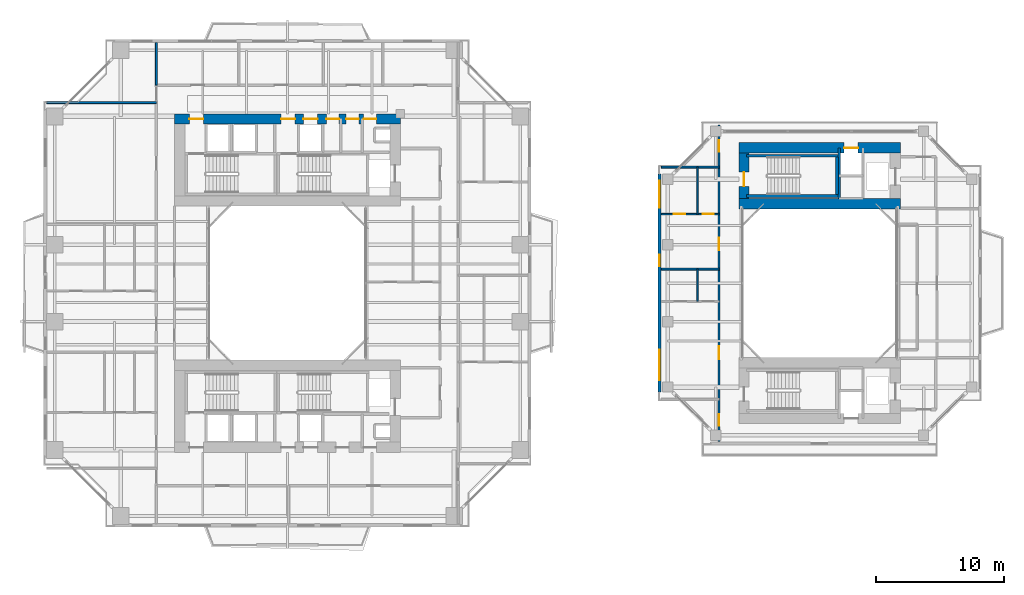
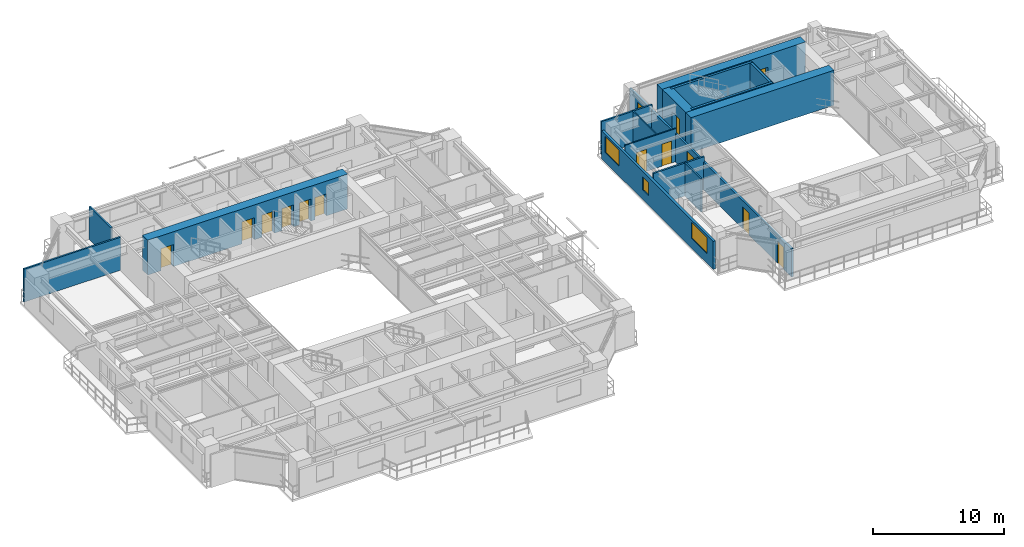
# One storey, part 16 of 24: 17 walls, 14 doors, 3 windows, 17 openings.
"""IFC4 building model written with IfcOpenShell, lengths in metres."""

from ifc_helpers import new_model, si_unit, direction, frame, frame_2d, origin, place, context, subcontext, project, spatial, rectangle, extrude, source, transform, mapped, material, layer, layer_set, type_object, element, fill, save


model = new_model("IFC4")

# Units and contexts
model_context = context("Model", 3, precision=1e-05, world=origin(), true_north=direction((0.0, 1.0)))
body_context = subcontext(model_context, "Body", "Model", "MODEL_VIEW")
ifc_project = project(units=[si_unit("LENGTHUNIT", "METRE"), si_unit("AREAUNIT", "SQUARE_METRE"), si_unit("VOLUMEUNIT", "CUBIC_METRE"), si_unit("PLANEANGLEUNIT", "RADIAN"), si_unit("MASSUNIT", "GRAM", prefix="KILO"), si_unit("THERMODYNAMICTEMPERATUREUNIT", "KELVIN"), si_unit("POWERUNIT", "WATT")], contexts=[model_context])

# Site, building, storey
site_placement = place(None, origin())
site = spatial("IfcSite", under=ifc_project, at=site_placement, CompositionType="ELEMENT")
building_placement = place(site_placement, origin())
building = spatial("IfcBuilding", under=site, at=building_placement, Name="Qiaomeng Ring Towers", CompositionType="ELEMENT")
storey_placement = place(building_placement, frame((0.0, 0.0, 69.75)))
storey = spatial("IfcBuildingStorey", under=building, at=storey_placement, Name="L19", CompositionType="ELEMENT", Elevation=69.75)

# Wall, openings, windows
ifc_material_1 = material(Name="Precast concrete C40", Category="concrete")
ifc_layer_1 = layer(ifc_material_1, 0.219970703125, Name="Precast concrete C40")
ifc_layer_set_1 = layer_set([ifc_layer_1], Name="Precast concrete C40")
wall_type_1 = type_object("IfcWallType", Name="ARC-WL-EW2", PredefinedType="STANDARD", material=ifc_layer_set_1)
wall_1_placement = place(storey_placement, frame((48.010009765625, 14.5, 0.0), z_axis=(0.0, 0.0, 1.0), x_axis=(0.0, 1.0, 0.0)))
wall_1 = element("IfcWall", 1, at=wall_1_placement, inside=storey, type_object=wall_type_1, Name="L19 Companion West Wall", PredefinedType="STANDARD", context=body_context, shape_type="SweptSolid", body=[
    extrude(rectangle(XDim=17.0, YDim=0.219970703125, at=frame_2d((8.5, 0.0))), origin(), (0.0, 0.0, 1.0), 2.610107421875),
])
opening_1_placement = place(wall_1_placement, frame((0.925048828125, 0.0, 0.89990234375)))
opening_1 = element("IfcOpeningElement", 2, at=opening_1_placement, cuts=wall_1, Name="Opening WN6", PredefinedType="OPENING", context=body_context, shape_type="SweptSolid", body=[
    extrude(rectangle(XDim=2.39990234375, YDim=1.47998046875, at=frame_2d((1.199951171875, 0.739990234375))), frame((0.0, 0.119873046875, 0.0), z_axis=(0.0, -1.0, 0.0), x_axis=(1.0, 0.0, 0.0)), (0.0, 0.0, 1.0), 0.239990234375),
])
opening_2_placement = place(wall_1_placement, frame((14.3798828125, 0.0, 0.89990234375)))
opening_2 = element("IfcOpeningElement", 3, at=opening_2_placement, cuts=wall_1, Name="Opening WN4", PredefinedType="OPENING", context=body_context, shape_type="SweptSolid", body=[
    extrude(rectangle(XDim=2.10009765625, YDim=1.5, at=frame_2d((1.050048828125, 0.75))), frame((0.0, 0.119873046875, 0.0), z_axis=(0.0, -1.0, 0.0), x_axis=(1.0, 0.0, 0.0)), (0.0, 0.0, 1.0), 0.239990234375),
])
opening_3_placement = place(wall_1_placement, frame((9.8349609375, 0.0, 0.89990234375)))
opening_3 = element("IfcOpeningElement", 4, at=opening_3_placement, cuts=wall_1, Name="Opening WN5", PredefinedType="OPENING", context=body_context, shape_type="SweptSolid", body=[
    extrude(rectangle(XDim=0.89990234375, YDim=1.199951171875, at=frame_2d((0.449951171875, 0.60009765625))), frame((0.0, 0.119873046875, 0.0), z_axis=(0.0, -1.0, 0.0), x_axis=(1.0, 0.0, 0.0)), (0.0, 0.0, 1.0), 0.239990234375),
])
ifc_material_2 = material(Name="Low-E dark-grey laminated double glazing", Category="glass")
window_type_1 = type_object("IfcWindowType", Name="ARC-WN-4", PartitioningType="TRIPLE_PANEL_VERTICAL", PredefinedType="WINDOW", material=ifc_material_2)
shared_shape_1 = source(origin(), body_context, "Body", "SweptSolid", [
    extrude(rectangle(XDim=2.10009765625, YDim=1.5, at=frame_2d((1.050048828125, 0.75))), frame((0.0, 0.030029296875, 0.0), z_axis=(0.0, -1.0, 0.0), x_axis=(1.0, 0.0, 0.0)), (0.0, 0.0, 1.0), 0.06005859375),
])
window_1_placement = place(opening_2_placement, origin())
window_1 = element("IfcWindow", 5, at=window_1_placement, inside=storey, type_object=window_type_1, Name="L19 Exterior Window WN4", OverallHeight=1.5, OverallWidth=2.10009765625, PartitioningType="TRIPLE_PANEL_VERTICAL", PredefinedType="WINDOW", context=body_context, shape_type="MappedRepresentation", body=[
    mapped(shared_shape_1, transform((0.0, 0.0, 0.0), x_axis=(1.0, 0.0, 0.0), y_axis=(0.0, 1.0, 0.0), z_axis=(0.0, 0.0, 1.0), scale=1.0)),
])
fill(opening_2, window_1)
window_type_2 = type_object("IfcWindowType", Name="ARC-WN-6", PartitioningType="TRIPLE_PANEL_VERTICAL", PredefinedType="WINDOW", material=ifc_material_2)
shared_shape_2 = source(origin(), body_context, "Body", "SweptSolid", [
    extrude(rectangle(XDim=2.39990234375, YDim=1.47998046875, at=frame_2d((1.199951171875, 0.739990234375))), frame((0.0, 0.030029296875, 0.0), z_axis=(0.0, -1.0, 0.0), x_axis=(1.0, 0.0, 0.0)), (0.0, 0.0, 1.0), 0.06005859375),
])
window_2_placement = place(opening_1_placement, origin())
window_2 = element("IfcWindow", 6, at=window_2_placement, inside=storey, type_object=window_type_2, Name="L19 Exterior Window WN6", OverallHeight=1.47998046875, OverallWidth=2.39990234375, PartitioningType="TRIPLE_PANEL_VERTICAL", PredefinedType="WINDOW", context=body_context, shape_type="MappedRepresentation", body=[
    mapped(shared_shape_2, transform((0.0, 0.0, 0.0), x_axis=(1.0, 0.0, 0.0), y_axis=(0.0, 1.0, 0.0), z_axis=(0.0, 0.0, 1.0), scale=1.0)),
])
fill(opening_1, window_2)
window_type_3 = type_object("IfcWindowType", Name="ARC-WN-5", PartitioningType="SINGLE_PANEL", PredefinedType="WINDOW", material=ifc_material_2)
shared_shape_3 = source(origin(), body_context, "Body", "SweptSolid", [
    extrude(rectangle(XDim=0.89990234375, YDim=1.199951171875, at=frame_2d((0.449951171875, 0.60009765625))), frame((0.0, 0.030029296875, 0.0), z_axis=(0.0, -1.0, 0.0), x_axis=(1.0, 0.0, 0.0)), (0.0, 0.0, 1.0), 0.06005859375),
])
window_3_placement = place(opening_3_placement, origin())
window_3 = element("IfcWindow", 7, at=window_3_placement, inside=storey, type_object=window_type_3, Name="L19 Exterior Window WN5", OverallHeight=1.199951171875, OverallWidth=0.89990234375, PartitioningType="SINGLE_PANEL", PredefinedType="WINDOW", context=body_context, shape_type="MappedRepresentation", body=[
    mapped(shared_shape_3, transform((0.0, 0.0, 0.0), x_axis=(1.0, 0.0, 0.0), y_axis=(0.0, 1.0, 0.0), z_axis=(0.0, 0.0, 1.0), scale=1.0)),
])
fill(opening_3, window_3)

# Wall, openings, doors
ifc_material_3 = material(Name="Autoclaved aerated concrete block", Category="concrete")
ifc_layer_2 = layer(ifc_material_3, 0.179931640625, Name="Autoclaved aerated concrete block")
ifc_layer_set_2 = layer_set([ifc_layer_2], Name="Autoclaved aerated concrete block")
wall_type_2 = type_object("IfcWallType", Name="ARC-WL-PW2", PredefinedType="PARTITIONING", material=ifc_layer_set_2)
wall_2_placement = place(storey_placement, frame((52.64990234375, 10.64990234375, 0.0), z_axis=(0.0, 0.0, 1.0), x_axis=(0.0, 1.0, 0.0)))
wall_2 = element("IfcWall", 8, at=wall_2_placement, inside=storey, type_object=wall_type_2, Name="L19 Interior Wall PW2", PredefinedType="PARTITIONING", context=body_context, shape_type="SweptSolid", body=[
    extrude(rectangle(XDim=24.7001953125, YDim=0.179931640625, at=frame_2d((12.35009765625, 0.0))), origin(), (0.0, 0.0, 1.0), 2.614990234375),
])
opening_4_placement = place(wall_2_placement, frame((22.580078125, 0.0, 0.0)))
opening_4 = element("IfcOpeningElement", 9, at=opening_4_placement, cuts=wall_2, Name="Opening ID1", PredefinedType="OPENING", context=body_context, shape_type="SweptSolid", body=[
    extrude(rectangle(XDim=0.89990234375, YDim=2.050048828125, at=frame_2d((0.449951171875, 1.02490234375))), frame((0.0, 0.099853515625, 0.0), z_axis=(0.0, -1.0, 0.0), x_axis=(1.0, 0.0, 0.0)), (0.0, 0.0, 1.0), 0.199951171875),
])
opening_5_placement = place(wall_2_placement, frame((1.219970703125, 0.0, 0.0)))
opening_5 = element("IfcOpeningElement", 10, at=opening_5_placement, cuts=wall_2, Name="Opening ID1", PredefinedType="OPENING", context=body_context, shape_type="SweptSolid", body=[
    extrude(rectangle(XDim=0.89990234375, YDim=2.050048828125, at=frame_2d((0.449951171875, 1.02490234375))), frame((0.0, 0.099853515625, 0.0), z_axis=(0.0, -1.0, 0.0), x_axis=(1.0, 0.0, 0.0)), (0.0, 0.0, 1.0), 0.199951171875),
])
opening_6_placement = place(wall_2_placement, frame((6.425048828125, 0.0, 0.0)))
opening_6 = element("IfcOpeningElement", 11, at=opening_6_placement, cuts=wall_2, Name="Opening FD4", PredefinedType="OPENING", context=body_context, shape_type="SweptSolid", body=[
    extrude(rectangle(XDim=1.0, YDim=2.050048828125, at=frame_2d((0.5, 1.02490234375))), frame((0.0, 0.099853515625, 0.0), z_axis=(0.0, -1.0, 0.0), x_axis=(1.0, 0.0, 0.0)), (0.0, 0.0, 1.0), 0.199951171875),
])
opening_7_placement = place(wall_2_placement, frame((14.905029296875, 0.0, 0.0)))
opening_7 = element("IfcOpeningElement", 12, at=opening_7_placement, cuts=wall_2, Name="Opening FD4", PredefinedType="OPENING", context=body_context, shape_type="SweptSolid", body=[
    extrude(rectangle(XDim=1.0, YDim=2.050048828125, at=frame_2d((0.5, 1.02490234375))), frame((0.0, 0.099853515625, 0.0), z_axis=(0.0, -1.0, 0.0), x_axis=(1.0, 0.0, 0.0)), (0.0, 0.0, 1.0), 0.199951171875),
])
ifc_material_4 = material(Name="Engineered fire-rated oak timber", Category="wood")
door_type_1 = type_object("IfcDoorType", Name="ARC-DR-FD4", OperationType="NOTDEFINED", PredefinedType="DOOR", material=ifc_material_4)
shared_shape_4 = source(origin(), body_context, "Body", "SweptSolid", [
    extrude(rectangle(XDim=1.0, YDim=2.050048828125, at=frame_2d((0.5, 1.02490234375))), frame((0.0, 0.02490234375, 0.0), z_axis=(0.0, -1.0, 0.0), x_axis=(1.0, 0.0, 0.0)), (0.0, 0.0, 1.0), 0.050048828125),
])
door_1_placement = place(opening_6_placement, origin())
door_1 = element("IfcDoor", 13, at=door_1_placement, inside=storey, type_object=door_type_1, Name="L19 Door FD4", OperationType="SINGLE_SWING_LEFT", OverallHeight=2.050048828125, OverallWidth=1.0, PredefinedType="DOOR", context=body_context, shape_type="MappedRepresentation", body=[
    mapped(shared_shape_4, transform((0.0, 0.0, 0.0), x_axis=(1.0, 0.0, 0.0), y_axis=(0.0, 1.0, 0.0), z_axis=(0.0, 0.0, 1.0), scale=1.0)),
])
fill(opening_6, door_1)
door_2_placement = place(opening_7_placement, origin())
door_2 = element("IfcDoor", 14, at=door_2_placement, inside=storey, type_object=door_type_1, Name="L19 Door FD4", OperationType="SINGLE_SWING_RIGHT", OverallHeight=2.050048828125, OverallWidth=1.0, PredefinedType="DOOR", context=body_context, shape_type="MappedRepresentation", body=[
    mapped(shared_shape_4, transform((0.0, 0.0, 0.0), x_axis=(1.0, 0.0, 0.0), y_axis=(0.0, 1.0, 0.0), z_axis=(0.0, 0.0, 1.0), scale=1.0)),
])
fill(opening_7, door_2)
ifc_material_5 = material(Name="Engineered oak timber", Category="wood")
door_type_2 = type_object("IfcDoorType", Name="ARC-DR-ID1", OperationType="NOTDEFINED", PredefinedType="DOOR", material=ifc_material_5)
shared_shape_5 = source(origin(), body_context, "Body", "SweptSolid", [
    extrude(rectangle(XDim=0.89990234375, YDim=2.050048828125, at=frame_2d((0.449951171875, 1.02490234375))), frame((0.0, 0.02490234375, 0.0), z_axis=(0.0, -1.0, 0.0), x_axis=(1.0, 0.0, 0.0)), (0.0, 0.0, 1.0), 0.050048828125),
])
door_3_placement = place(opening_4_placement, origin())
door_3 = element("IfcDoor", 15, at=door_3_placement, inside=storey, type_object=door_type_2, Name="L19 Door ID1", OperationType="SINGLE_SWING_LEFT", OverallHeight=2.050048828125, OverallWidth=0.89990234375, PredefinedType="DOOR", context=body_context, shape_type="MappedRepresentation", body=[
    mapped(shared_shape_5, transform((0.0, 0.0, 0.0), x_axis=(1.0, 0.0, 0.0), y_axis=(0.0, 1.0, 0.0), z_axis=(0.0, 0.0, 1.0), scale=1.0)),
])
fill(opening_4, door_3)
door_4_placement = place(opening_5_placement, origin())
door_4 = element("IfcDoor", 16, at=door_4_placement, inside=storey, type_object=door_type_2, Name="L19 Door ID1", OperationType="SINGLE_SWING_RIGHT", OverallHeight=2.050048828125, OverallWidth=0.89990234375, PredefinedType="DOOR", context=body_context, shape_type="MappedRepresentation", body=[
    mapped(shared_shape_5, transform((0.0, 0.0, 0.0), x_axis=(1.0, 0.0, 0.0), y_axis=(0.0, 1.0, 0.0), z_axis=(0.0, 0.0, 1.0), scale=1.0)),
])
fill(opening_5, door_4)

# Walls
ifc_material_6 = material(Name="Gypsum fireboard steel-stud partition", Category="steel")
ifc_layer_3 = layer(ifc_material_6, 0.14990234375, Name="Gypsum fireboard steel-stud partition")
ifc_layer_set_3 = layer_set([ifc_layer_3], Name="Gypsum fireboard steel-stud partition")
wall_type_3 = type_object("IfcWallType", Name="ARC-WL-PW3", PredefinedType="PARTITIONING", material=ifc_layer_set_3)
wall_3_placement = place(storey_placement, frame((8.780029296875, 38.43994140625, 0.0), z_axis=(0.0, 0.0, 1.0), x_axis=(0.0, 1.0, 0.0)))
element("IfcWall", 17, at=wall_3_placement, inside=storey, type_object=wall_type_3, Name="L19 Interior Wall PW3", PredefinedType="PARTITIONING", context=body_context, shape_type="SweptSolid", body=[
    extrude(rectangle(XDim=3.31005859375, YDim=0.14990234375, at=frame_2d((1.655029296875, 0.0))), origin(), (0.0, 0.0, 1.0), 3.070068359375),
])
wall_4_placement = place(storey_placement, frame((0.25, 37.080078125, 0.0), z_axis=(0.0, 0.0, 1.0), x_axis=(1.0, 0.0, 0.0)))
element("IfcWall", 18, at=wall_4_placement, inside=storey, type_object=wall_type_3, Name="L19 Interior Wall PW3", PredefinedType="PARTITIONING", context=body_context, shape_type="SweptSolid", body=[
    extrude(rectangle(XDim=8.530029296875, YDim=0.14990234375, at=frame_2d((4.26513671875, 0.0))), origin(), (0.0, 0.0, 1.0), 3.070068359375),
])
for number, where, z_axis, x_axis, name in (
    (19, (48.14990234375, 32.050048828125, 0.0), (0.0, 0.0, 1.0), (1.0, 0.0, 0.0), "L19 Interior Wall PW3"),
    (20, (48.14990234375, 24.10009765625, 0.0), (0.0, 0.0, 1.0), (1.0, 0.0, 0.0), "L19 Interior Wall PW3"),
):
    element("IfcWall", number, at=place(storey_placement, frame(where, z_axis=z_axis, x_axis=x_axis)), inside=storey, type_object=wall_type_3, Name=name, PredefinedType="PARTITIONING", context=body_context, shape_type="SweptSolid", body=[
        extrude(rectangle(XDim=4.5, YDim=0.14990234375, at=frame_2d((2.25, 0.0))), origin(), (0.0, 0.0, 1.0), 3.070068359375),
    ])
ifc_material_7 = material(Name="Moisture-resistant gypsum steel-stud partition", Category="steel")
ifc_layer_4 = layer(ifc_material_7, 0.1201171875, Name="Moisture-resistant gypsum steel-stud partition")
ifc_layer_set_4 = layer_set([ifc_layer_4], Name="Moisture-resistant gypsum steel-stud partition")
wall_type_4 = type_object("IfcWallType", Name="ARC-WL-PW4", PredefinedType="PLUMBINGWALL", material=ifc_layer_set_4)
wall_5_placement = place(storey_placement, frame((50.97998046875, 21.580078125, 0.0), z_axis=(0.0, 0.0, 1.0), x_axis=(0.0, 1.0, 0.0)))
element("IfcWall", 21, at=wall_5_placement, inside=storey, type_object=wall_type_4, Name="L19 Interior Wall PW4", PredefinedType="PLUMBINGWALL", context=body_context, shape_type="SweptSolid", body=[
    extrude(rectangle(XDim=2.52001953125, YDim=0.1201171875, at=frame_2d((1.260009765625, 0.0))), origin(), (0.0, 0.0, 1.0), 3.070068359375),
])

# Wall, openings, doors
wall_6_placement = place(storey_placement, frame((48.14990234375, 28.389892578125, 0.0), z_axis=(0.0, 0.0, 1.0), x_axis=(1.0, 0.0, 0.0)))
wall_6 = element("IfcWall", 22, at=wall_6_placement, inside=storey, type_object=wall_type_4, Name="L19 Interior Wall PW4", PredefinedType="PLUMBINGWALL", context=body_context, shape_type="SweptSolid", body=[
    extrude(rectangle(XDim=4.5, YDim=0.1201171875, at=frame_2d((2.25, 0.0))), origin(), (0.0, 0.0, 1.0), 3.070068359375),
])
opening_8_placement = place(wall_6_placement, frame((0.97509765625, 0.0, 0.0)))
opening_8 = element("IfcOpeningElement", 23, at=opening_8_placement, cuts=wall_6, Name="Opening ID1", PredefinedType="OPENING", context=body_context, shape_type="SweptSolid", body=[
    extrude(rectangle(XDim=0.89990234375, YDim=2.050048828125, at=frame_2d((0.449951171875, 1.02490234375))), frame((0.0, 0.070068359375, 0.0), z_axis=(0.0, -1.0, 0.0), x_axis=(1.0, 0.0, 0.0)), (0.0, 0.0, 1.0), 0.14013671875),
])
opening_9_placement = place(wall_6_placement, frame((3.22998046875, 0.0, 0.0)))
opening_9 = element("IfcOpeningElement", 24, at=opening_9_placement, cuts=wall_6, Name="Opening ID2", PredefinedType="OPENING", context=body_context, shape_type="SweptSolid", body=[
    extrude(rectangle(XDim=0.85009765625, YDim=2.050048828125, at=frame_2d((0.425048828125, 1.02490234375))), frame((0.0, 0.070068359375, 0.0), z_axis=(0.0, -1.0, 0.0), x_axis=(1.0, 0.0, 0.0)), (0.0, 0.0, 1.0), 0.14013671875),
])
ifc_material_8 = material(Name="Moisture-resistant engineered timber", Category="wood")
door_type_3 = type_object("IfcDoorType", Name="ARC-DR-ID2", OperationType="NOTDEFINED", PredefinedType="DOOR", material=ifc_material_8)
shared_shape_6 = source(origin(), body_context, "Body", "SweptSolid", [
    extrude(rectangle(XDim=0.85009765625, YDim=2.050048828125, at=frame_2d((0.425048828125, 1.02490234375))), frame((0.0, 0.02490234375, 0.0), z_axis=(0.0, -1.0, 0.0), x_axis=(1.0, 0.0, 0.0)), (0.0, 0.0, 1.0), 0.050048828125),
])
door_5_placement = place(opening_9_placement, origin())
door_5 = element("IfcDoor", 25, at=door_5_placement, inside=storey, type_object=door_type_3, Name="L19 Door ID2", OperationType="SINGLE_SWING_RIGHT", OverallHeight=2.050048828125, OverallWidth=0.85009765625, PredefinedType="DOOR", context=body_context, shape_type="MappedRepresentation", body=[
    mapped(shared_shape_6, transform((0.0, 0.0, 0.0), x_axis=(1.0, 0.0, 0.0), y_axis=(0.0, 1.0, 0.0), z_axis=(0.0, 0.0, 1.0), scale=1.0)),
])
fill(opening_9, door_5)
door_6_placement = place(opening_8_placement, origin())
door_6 = element("IfcDoor", 26, at=door_6_placement, inside=storey, type_object=door_type_2, Name="L19 Door ID1", OperationType="SINGLE_SWING_LEFT", OverallHeight=2.050048828125, OverallWidth=0.89990234375, PredefinedType="DOOR", context=body_context, shape_type="MappedRepresentation", body=[
    mapped(shared_shape_5, transform((0.0, 0.0, 0.0), x_axis=(1.0, 0.0, 0.0), y_axis=(0.0, 1.0, 0.0), z_axis=(0.0, 0.0, 1.0), scale=1.0)),
])
fill(opening_8, door_6)

# Walls
wall_7_placement = place(storey_placement, frame((50.97998046875, 28.389892578125, 0.0), z_axis=(0.0, 0.0, 1.0), x_axis=(0.0, 1.0, 0.0)))
element("IfcWall", 27, at=wall_7_placement, inside=storey, type_object=wall_type_4, Name="L19 Interior Wall PW4", PredefinedType="PLUMBINGWALL", context=body_context, shape_type="SweptSolid", body=[
    extrude(rectangle(XDim=3.66015625, YDim=0.1201171875, at=frame_2d((1.830078125, 0.0))), origin(), (0.0, 0.0, 1.0), 3.070068359375),
])
ifc_material_9 = material(Name="Concrete C40", Category="concrete")
ifc_layer_5 = layer(ifc_material_9, 0.199951171875, Name="Concrete C40")
ifc_layer_set_5 = layer_set([ifc_layer_5], Name="Concrete C40")
wall_type_5 = type_object("IfcWallType", Name="STR-WL-STSHAFT", PredefinedType="SHEAR", material=ifc_layer_set_5)
wall_8_placement = place(storey_placement, frame((62.02001953125, 29.60009765625, 0.0), z_axis=(0.0, 0.0, 1.0), x_axis=(0.0, 1.0, 0.0)))
element("IfcWall", 28, at=wall_8_placement, inside=storey, type_object=wall_type_5, Name="L19 Companion Lift Shaft West Wall N", PredefinedType="SHEAR", context=body_context, shape_type="SweptSolid", body=[
    extrude(rectangle(XDim=3.949951171875, YDim=0.179931640625, at=frame_2d((1.97509765625, 0.0))), origin(), (0.0, 0.0, 1.0), 3.070068359375),
])
for number, where, z_axis, x_axis, name in (
    (29, (54.800048828125, 29.800048828125, 0.0), (0.0, 0.0, 1.0), (1.0, 0.0, 0.0), "L19 Stair ST5 South Shaft Shear Wall"),
    (30, (54.800048828125, 32.93994140625, 0.0), (0.0, 0.0, 1.0), (1.0, 0.0, 0.0), "L19 Stair ST5 North Shaft Shear Wall"),
):
    element("IfcWall", number, at=place(storey_placement, frame(where, z_axis=z_axis, x_axis=x_axis)), inside=storey, type_object=wall_type_5, Name=name, PredefinedType="SHEAR", context=body_context, shape_type="SweptSolid", body=[
        extrude(rectangle(XDim=7.14990234375, YDim=0.199951171875, at=frame_2d((3.574951171875, 0.0))), origin(), (0.0, 0.0, 1.0), 3.25),
    ])
wall_9_placement = place(storey_placement, frame((61.85009765625, 29.89990234375, 0.0), z_axis=(0.0, 0.0, 1.0), x_axis=(0.0, 1.0, 0.0)))
element("IfcWall", 31, at=wall_9_placement, inside=storey, type_object=wall_type_5, Name="L19 Stair ST5 East Shaft Shear Wall", PredefinedType="SHEAR", context=body_context, shape_type="SweptSolid", body=[
    extrude(rectangle(XDim=2.940185546875, YDim=0.199951171875, at=frame_2d((1.47021484375, 0.0))), origin(), (0.0, 0.0, 1.0), 3.25),
])

# Wall, openings, doors
ifc_material_10 = material(Name="Concrete C60", Category="concrete")
ifc_layer_6 = layer(ifc_material_10, 0.800048828125, Name="Concrete C60")
ifc_layer_set_6 = layer_set([ifc_layer_6], Name="Concrete C60")
wall_type_6 = type_object("IfcWallType", Name="STR-WL-SW1", PredefinedType="SHEAR", material=ifc_layer_set_6)
wall_10_placement = place(storey_placement, frame((10.199951171875, 35.800048828125, 0.0), z_axis=(0.0, 0.0, 1.0), x_axis=(1.0, 0.0, 0.0)))
wall_10 = element("IfcWall", 32, at=wall_10_placement, inside=storey, type_object=wall_type_6, Name="L19 T1NC north core shear wall", PredefinedType="SHEAR", context=body_context, shape_type="SweptSolid", body=[
    extrude(rectangle(XDim=17.60009765625, YDim=0.800048828125, at=frame_2d((8.800048828125, 0.0))), origin(), (0.0, 0.0, 1.0), 3.25),
])
opening_10_placement = place(wall_10_placement, frame((1.14990234375, 0.0, 0.0)))
opening_10 = element("IfcOpeningElement", 33, at=opening_10_placement, cuts=wall_10, Name="Opening FD3", PredefinedType="OPENING", context=body_context, shape_type="SweptSolid", body=[
    extrude(rectangle(XDim=1.10009765625, YDim=2.050048828125, at=frame_2d((0.550048828125, 1.02490234375))), frame((0.0, 0.409912109375, 0.0), z_axis=(0.0, -1.0, 0.0), x_axis=(1.0, 0.0, 0.0)), (0.0, 0.0, 1.0), 0.820068359375),
])
opening_11_placement = place(wall_10_placement, frame((8.300048828125, 0.0, 0.0)))
opening_11 = element("IfcOpeningElement", 34, at=opening_11_placement, cuts=wall_10, Name="Opening FD3", PredefinedType="OPENING", context=body_context, shape_type="SweptSolid", body=[
    extrude(rectangle(XDim=1.10009765625, YDim=2.050048828125, at=frame_2d((0.550048828125, 1.02490234375))), frame((0.0, 0.409912109375, 0.0), z_axis=(0.0, -1.0, 0.0), x_axis=(1.0, 0.0, 0.0)), (0.0, 0.0, 1.0), 0.820068359375),
])
opening_12_placement = place(wall_10_placement, frame((10.050048828125, 0.0, 0.0)))
opening_12 = element("IfcOpeningElement", 35, at=opening_12_placement, cuts=wall_10, Name="Opening LD1", PredefinedType="OPENING", context=body_context, shape_type="SweptSolid", body=[
    extrude(rectangle(XDim=1.10009765625, YDim=2.050048828125, at=frame_2d((0.550048828125, 1.02490234375))), frame((0.0, 0.409912109375, 0.0), z_axis=(0.0, -1.0, 0.0), x_axis=(1.0, 0.0, 0.0)), (0.0, 0.0, 1.0), 0.820068359375),
])
opening_13_placement = place(wall_10_placement, frame((14.739990234375, 0.0, 0.0)))
opening_13 = element("IfcOpeningElement", 36, at=opening_13_placement, cuts=wall_10, Name="Opening FD1", PredefinedType="OPENING", context=body_context, shape_type="SweptSolid", body=[
    extrude(rectangle(XDim=1.0, YDim=2.050048828125, at=frame_2d((0.5, 1.02490234375))), frame((0.0, 0.409912109375, 0.0), z_axis=(0.0, -1.0, 0.0), x_axis=(1.0, 0.0, 0.0)), (0.0, 0.0, 1.0), 0.820068359375),
])
opening_14_placement = place(wall_10_placement, frame((11.8349609375, 0.0, 0.0)))
opening_14 = element("IfcOpeningElement", 37, at=opening_14_placement, cuts=wall_10, Name="Opening FD1", PredefinedType="OPENING", context=body_context, shape_type="SweptSolid", body=[
    extrude(rectangle(XDim=1.0, YDim=2.050048828125, at=frame_2d((0.5, 1.02490234375))), frame((0.0, 0.409912109375, 0.0), z_axis=(0.0, -1.0, 0.0), x_axis=(1.0, 0.0, 0.0)), (0.0, 0.0, 1.0), 0.820068359375),
])
opening_15_placement = place(wall_10_placement, frame((13.3701171875, 0.0, 0.0)))
opening_15 = element("IfcOpeningElement", 38, at=opening_15_placement, cuts=wall_10, Name="Opening FD1", PredefinedType="OPENING", context=body_context, shape_type="SweptSolid", body=[
    extrude(rectangle(XDim=1.0, YDim=2.050048828125, at=frame_2d((0.5, 1.02490234375))), frame((0.0, 0.409912109375, 0.0), z_axis=(0.0, -1.0, 0.0), x_axis=(1.0, 0.0, 0.0)), (0.0, 0.0, 1.0), 0.820068359375),
])
ifc_material_11 = material(Name="Galvanised steel", Category="steel")
door_type_4 = type_object("IfcDoorType", Name="ARC-DR-FD3", OperationType="NOTDEFINED", PredefinedType="DOOR", material=ifc_material_11)
shared_shape_7 = source(origin(), body_context, "Body", "SweptSolid", [
    extrude(rectangle(XDim=1.10009765625, YDim=2.050048828125, at=frame_2d((0.550048828125, 1.02490234375))), frame((0.0, 0.02490234375, 0.0), z_axis=(0.0, -1.0, 0.0), x_axis=(1.0, 0.0, 0.0)), (0.0, 0.0, 1.0), 0.050048828125),
])
door_7_placement = place(opening_10_placement, origin())
door_7 = element("IfcDoor", 39, at=door_7_placement, inside=storey, type_object=door_type_4, Name="L19 Stair ST1 Lobby Door", OperationType="SINGLE_SWING_RIGHT", OverallHeight=2.050048828125, OverallWidth=1.10009765625, PredefinedType="DOOR", context=body_context, shape_type="MappedRepresentation", body=[
    mapped(shared_shape_7, transform((0.0, 0.0, 0.0), x_axis=(1.0, 0.0, 0.0), y_axis=(0.0, 1.0, 0.0), z_axis=(0.0, 0.0, 1.0), scale=1.0)),
])
fill(opening_10, door_7)
door_8_placement = place(opening_11_placement, origin())
door_8 = element("IfcDoor", 40, at=door_8_placement, inside=storey, type_object=door_type_4, Name="L19 Stair ST2 Lobby Door", OperationType="SINGLE_SWING_RIGHT", OverallHeight=2.050048828125, OverallWidth=1.10009765625, PredefinedType="DOOR", context=body_context, shape_type="MappedRepresentation", body=[
    mapped(shared_shape_7, transform((0.0, 0.0, 0.0), x_axis=(1.0, 0.0, 0.0), y_axis=(0.0, 1.0, 0.0), z_axis=(0.0, 0.0, 1.0), scale=1.0)),
])
fill(opening_11, door_8)
ifc_material_12 = material(Name="Stainless steel 316", Category="steel")
door_type_5 = type_object("IfcDoorType", Name="ARC-DR-LD1", OperationType="NOTDEFINED", PredefinedType="DOOR", material=ifc_material_12)
door_9_placement = place(opening_12_placement, origin())
door_9 = element("IfcDoor", 41, at=door_9_placement, inside=storey, type_object=door_type_5, Name="L19 Low-Zone Lift LP1 Landing Door", OperationType="SLIDING_TO_LEFT", OverallHeight=2.050048828125, OverallWidth=1.10009765625, PredefinedType="DOOR", context=body_context, shape_type="MappedRepresentation", body=[
    mapped(shared_shape_7, transform((0.0, 0.0, 0.0), x_axis=(1.0, 0.0, 0.0), y_axis=(0.0, 1.0, 0.0), z_axis=(0.0, 0.0, 1.0), scale=1.0)),
])
fill(opening_12, door_9)
door_type_6 = type_object("IfcDoorType", Name="ARC-DR-FD1", OperationType="NOTDEFINED", PredefinedType="DOOR", material=ifc_material_11)
door_10_placement = place(opening_13_placement, origin())
door_10 = element("IfcDoor", 42, at=door_10_placement, inside=storey, type_object=door_type_6, Name="L19 North Electrical Riser Door", OperationType="SINGLE_SWING_RIGHT", OverallHeight=2.050048828125, OverallWidth=1.0, PredefinedType="DOOR", context=body_context, shape_type="MappedRepresentation", body=[
    mapped(shared_shape_4, transform((0.0, 0.0, 0.0), x_axis=(1.0, 0.0, 0.0), y_axis=(0.0, 1.0, 0.0), z_axis=(0.0, 0.0, 1.0), scale=1.0)),
])
fill(opening_13, door_10)
door_11_placement = place(opening_14_placement, origin())
door_11 = element("IfcDoor", 43, at=door_11_placement, inside=storey, type_object=door_type_6, Name="L19 North Cleaners Store Door", OperationType="SINGLE_SWING_RIGHT", OverallHeight=2.050048828125, OverallWidth=1.0, PredefinedType="DOOR", context=body_context, shape_type="MappedRepresentation", body=[
    mapped(shared_shape_4, transform((0.0, 0.0, 0.0), x_axis=(1.0, 0.0, 0.0), y_axis=(0.0, 1.0, 0.0), z_axis=(0.0, 0.0, 1.0), scale=1.0)),
])
fill(opening_14, door_11)
door_12_placement = place(opening_15_placement, origin())
door_12 = element("IfcDoor", 44, at=door_12_placement, inside=storey, type_object=door_type_6, Name="L19 North Beverage Pantry Door", OperationType="SINGLE_SWING_LEFT", OverallHeight=2.050048828125, OverallWidth=1.0, PredefinedType="DOOR", context=body_context, shape_type="MappedRepresentation", body=[
    mapped(shared_shape_4, transform((0.0, 0.0, 0.0), x_axis=(1.0, 0.0, 0.0), y_axis=(0.0, 1.0, 0.0), z_axis=(0.0, 0.0, 1.0), scale=1.0)),
])
fill(opening_15, door_12)

# Wall
wall_11_placement = place(storey_placement, frame((54.199951171875, 29.199951171875, 0.0), z_axis=(0.0, 0.0, 1.0), x_axis=(1.0, 0.0, 0.0)))
element("IfcWall", 45, at=wall_11_placement, inside=storey, type_object=wall_type_6, Name="L19 T2NC south core shear wall", PredefinedType="SHEAR", context=body_context, shape_type="SweptSolid", body=[
    extrude(rectangle(XDim=12.60009765625, YDim=0.800048828125, at=frame_2d((6.300048828125, 0.0))), origin(), (0.0, 0.0, 1.0), 3.25),
])

# Wall, opening, door
wall_12_placement = place(storey_placement, frame((54.199951171875, 33.550048828125, 0.0), z_axis=(0.0, 0.0, 1.0), x_axis=(1.0, 0.0, 0.0)))
wall_12 = element("IfcWall", 46, at=wall_12_placement, inside=storey, type_object=wall_type_6, Name="L19 T2NC north core shear wall", PredefinedType="SHEAR", context=body_context, shape_type="SweptSolid", body=[
    extrude(rectangle(XDim=12.60009765625, YDim=0.800048828125, at=frame_2d((6.300048828125, 0.0))), origin(), (0.0, 0.0, 1.0), 3.25),
])
opening_16_placement = place(wall_12_placement, frame((8.199951171875, 0.0, 0.0)))
opening_16 = element("IfcOpeningElement", 47, at=opening_16_placement, cuts=wall_12, Name="Opening LD1", PredefinedType="OPENING", context=body_context, shape_type="SweptSolid", body=[
    extrude(rectangle(XDim=1.10009765625, YDim=2.050048828125, at=frame_2d((0.550048828125, 1.02490234375))), frame((0.0, 0.409912109375, 0.0), z_axis=(0.0, -1.0, 0.0), x_axis=(1.0, 0.0, 0.0)), (0.0, 0.0, 1.0), 0.820068359375),
])
door_13_placement = place(opening_16_placement, origin())
door_13 = element("IfcDoor", 48, at=door_13_placement, inside=storey, type_object=door_type_5, Name="L19 Companion Lift LP7 Landing Door", OperationType="SLIDING_TO_LEFT", OverallHeight=2.050048828125, OverallWidth=1.10009765625, PredefinedType="DOOR", context=body_context, shape_type="MappedRepresentation", body=[
    mapped(shared_shape_7, transform((0.0, 0.0, 0.0), x_axis=(1.0, 0.0, 0.0), y_axis=(0.0, 1.0, 0.0), z_axis=(0.0, 0.0, 1.0), scale=1.0)),
])
fill(opening_16, door_13)

wall_13_placement = place(storey_placement, frame((54.60009765625, 29.60009765625, 0.0), z_axis=(0.0, 0.0, 1.0), x_axis=(0.0, 1.0, 0.0)))
wall_13 = element("IfcWall", 49, at=wall_13_placement, inside=storey, type_object=wall_type_6, Name="L19 T2NC west core shear wall", PredefinedType="SHEAR", context=body_context, shape_type="SweptSolid", body=[
    extrude(rectangle(XDim=3.5498046875, YDim=0.800048828125, at=frame_2d((1.77490234375, 0.0))), origin(), (0.0, 0.0, 1.0), 3.25),
])
opening_17_placement = place(wall_13_placement, frame((0.949951171875, 0.0, 0.0)))
opening_17 = element("IfcOpeningElement", 50, at=opening_17_placement, cuts=wall_13, Name="Opening FD3", PredefinedType="OPENING", context=body_context, shape_type="SweptSolid", body=[
    extrude(rectangle(XDim=1.10009765625, YDim=2.050048828125, at=frame_2d((0.550048828125, 1.02490234375))), frame((0.0, 0.409912109375, 0.0), z_axis=(0.0, -1.0, 0.0), x_axis=(1.0, 0.0, 0.0)), (0.0, 0.0, 1.0), 0.820068359375),
])
door_14_placement = place(opening_17_placement, origin())
door_14 = element("IfcDoor", 51, at=door_14_placement, inside=storey, type_object=door_type_4, Name="L19 Stair ST5 Exit Door", OperationType="SINGLE_SWING_RIGHT", OverallHeight=2.050048828125, OverallWidth=1.10009765625, PredefinedType="DOOR", context=body_context, shape_type="MappedRepresentation", body=[
    mapped(shared_shape_7, transform((0.0, 0.0, 0.0), x_axis=(1.0, 0.0, 0.0), y_axis=(0.0, 1.0, 0.0), z_axis=(0.0, 0.0, 1.0), scale=1.0)),
])
fill(opening_17, door_14)

save(model, "model.ifc")
